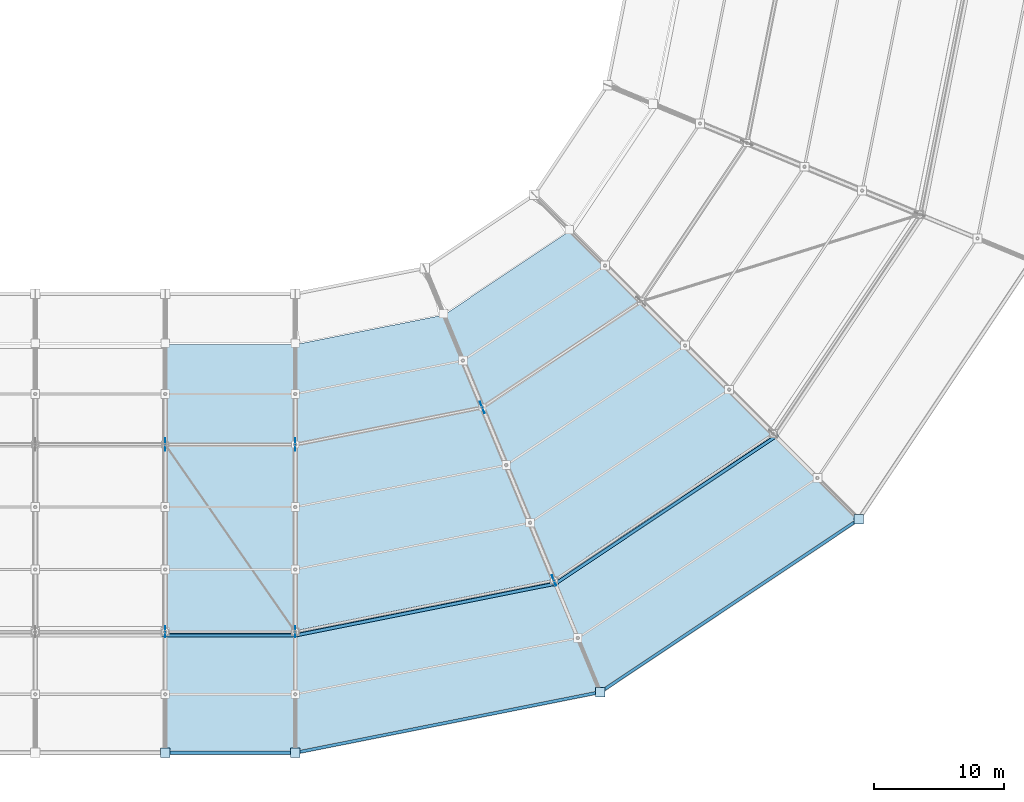
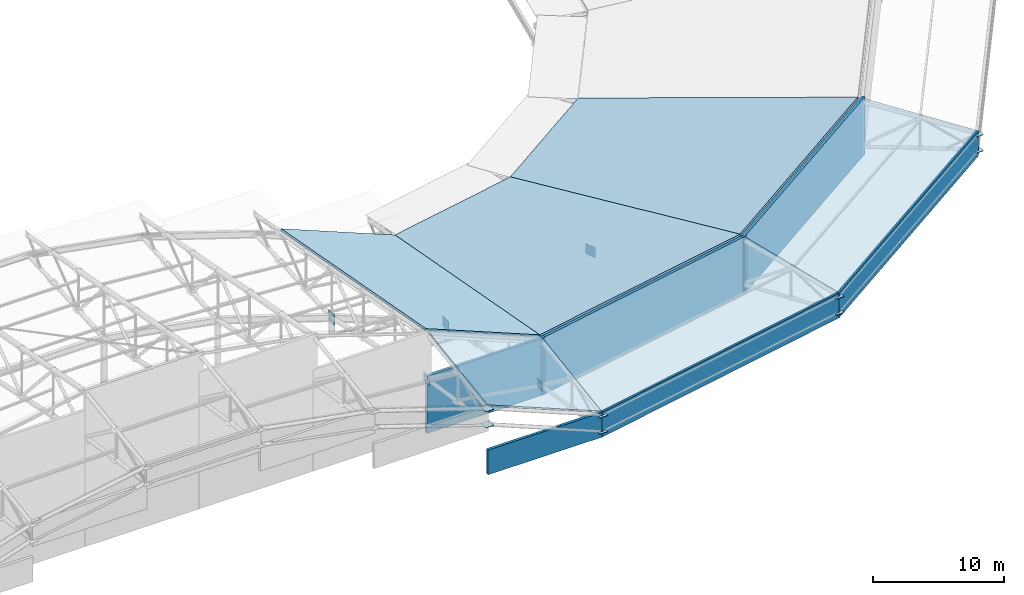
# One storey, part 112 of 146: 20 plates, 6 slabs.
"""IFC4 building model written with IfcOpenShell, lengths in metres."""

from ifc_helpers import new_model, si_unit, direction, frame, origin, origin_2d, place, context, subcontext, project, spatial, polyline, rectangle, outline, extrude, material, layer, layer_set, type_object, element, save


model = new_model("IFC4")

# Units and contexts
model_context = context("Model", 3, precision=1e-05, world=origin(), true_north=direction((0.0, 1.0)))
body_context = subcontext(model_context, "Body", "Model", "MODEL_VIEW")
ifc_project = project(units=[si_unit("LENGTHUNIT", "METRE"), si_unit("AREAUNIT", "SQUARE_METRE"), si_unit("VOLUMEUNIT", "CUBIC_METRE"), si_unit("PLANEANGLEUNIT", "RADIAN"), si_unit("MASSUNIT", "GRAM", prefix="KILO")], contexts=[model_context])

# Site, building, storey
site_placement = place(None, origin())
site = spatial("IfcSite", under=ifc_project, at=site_placement, CompositionType="ELEMENT")
building_placement = place(site_placement, origin())
building = spatial("IfcBuilding", under=site, at=building_placement, Name="Candeia Ridge Stadium", CompositionType="ELEMENT")
storey_placement = place(building_placement, frame((0.0, 0.0, 31.800048828125)))
storey = spatial("IfcBuildingStorey", under=building, at=storey_placement, Name="RF", CompositionType="ELEMENT", Elevation=31.800048828125)

# Plates
ifc_material_1 = material(Name="Aluminium Anodized Warm Bronze", Category="aluminium")
ifc_layer_1 = layer(ifc_material_1, 0.239990234375, Name="Aluminium Anodized Warm Bronze", Category="aluminium")
ifc_layer_set_1 = layer_set([ifc_layer_1], Name="Aluminium Anodized Warm Bronze")
plate_type_1 = type_object("IfcPlateType", Name="Crown Perforated Bronze Acoustic Screen", PredefinedType="SHEET", material=ifc_layer_set_1)
plate_1_placement = place(storey_placement, frame((136.0, 18.719970703125, -0.3251953125), z_axis=(0.0, 0.0, 1.0), x_axis=(1.0, 0.0, 0.0)))
element("IfcPlate", 1, at=plate_1_placement, inside=storey, type_object=plate_type_1, Name="Crown perforated bronze acoustic screen RF bay 25", PredefinedType="SHEET", context=body_context, shape_type="SweptSolid", body=[
    extrude(rectangle(XDim=10.39990234375, YDim=0.239990234375, at=origin_2d()), origin(), (0.0, 0.0, 1.0), 5.330078125),
])
plate_2_placement = place(storey_placement, frame((136.0, 9.699951171875, 1.25), z_axis=(0.0, 0.0, 1.0), x_axis=(1.0, 0.0, 0.0)))
element("IfcPlate", 2, at=plate_2_placement, inside=storey, type_object=plate_type_1, Name="Saddle roof outer eaves warm-bronze fascia bay 25", PredefinedType="SHEET", context=body_context, shape_type="SweptSolid", body=[
    extrude(rectangle(XDim=10.06005859375, YDim=0.239990234375, at=origin_2d()), origin(), (0.0, 0.0, 1.0), 2.300048828125),
])
plate_3_placement = place(storey_placement, frame((151.00341796875, 20.709716796875, -0.3251953125), z_axis=(0.0, 0.0, 1.0), x_axis=(0.980785281074, 0.195090318644, 0.0)))
element("IfcPlate", 3, at=plate_3_placement, inside=storey, type_object=plate_type_1, Name="Crown perforated bronze acoustic screen RF bay 26", PredefinedType="SHEET", context=body_context, shape_type="SweptSolid", body=[
    extrude(rectangle(XDim=20.798583984375, YDim=0.239990234375, at=origin_2d()), origin(), (0.0, 0.0, 1.0), 5.330078125),
])
plate_4_placement = place(storey_placement, frame((152.729248046875, 12.033203125, 1.25), z_axis=(0.0, 0.0, 1.0), x_axis=(0.980785277015, 0.195090339048, 0.0)))
element("IfcPlate", 4, at=plate_4_placement, inside=storey, type_object=plate_type_1, Name="Saddle roof outer eaves warm-bronze fascia bay 26", PredefinedType="SHEET", context=body_context, shape_type="SweptSolid", body=[
    extrude(rectangle(XDim=23.97802734375, YDim=0.239990234375, at=origin_2d()), origin(), (0.0, 0.0, 1.0), 2.300048828125),
])
plate_5_placement = place(storey_placement, frame((169.487060546875, 28.365966796875, -0.3251953125), z_axis=(0.0, 0.0, 1.0), x_axis=(0.831469627148, 0.555570210802, 0.0)))
element("IfcPlate", 5, at=plate_5_placement, inside=storey, type_object=plate_type_1, Name="Crown perforated bronze acoustic screen RF bay 27", PredefinedType="SHEET", context=body_context, shape_type="SweptSolid", body=[
    extrude(rectangle(XDim=20.798583984375, YDim=0.239990234375, at=origin_2d()), origin(), (0.0, 0.0, 1.0), 5.330078125),
])
plate_6_placement = place(storey_placement, frame((174.402099609375, 21.01025390625, 1.25), z_axis=(0.0, 0.0, 1.0), x_axis=(0.831469634236, 0.555570200194, 0.0)))
element("IfcPlate", 6, at=plate_6_placement, inside=storey, type_object=plate_type_1, Name="Saddle roof outer eaves warm-bronze fascia bay 27", PredefinedType="SHEET", context=body_context, shape_type="SweptSolid", body=[
    extrude(rectangle(XDim=23.97802734375, YDim=0.239990234375, at=origin_2d()), origin(), (0.0, 0.0, 1.0), 2.300048828125),
])
ifc_material_2 = material(Name="Steel ASTM A572 Grade 50", Category="steel")
ifc_layer_2 = layer(ifc_material_2, 0.02490234375, Name="Steel ASTM A572 Grade 50", Category="steel")
ifc_layer_set_2 = layer_set([ifc_layer_2], Name="Steel ASTM A572 Grade 50")
plate_type_2 = type_object("IfcPlateType", Name="Hollow Section End Closure Plate CP2", PredefinedType="SHEET", material=ifc_layer_set_2)
for number, where, z_axis, x_axis, name in (
    (7, (131.0, 9.699951171875, 7.346923828125), (0.0, 0.0, 1.0), (1.0, 0.0, 0.0), "Hollow section end closure plate TCAP-EAVE-24"),
    (8, (131.0, 9.699951171875, 5.846923828125), (0.0, 0.0, 1.0), (1.0, 0.0, 0.0), "Hollow section end closure plate BCAP-EAVE-24"),
    (9, (141.0, 9.699951171875, 3.2685546875), (0.0, 0.0, 1.0), (1.0, 0.0, 0.0), "Hollow section end closure plate TCAP-EAVE-25"),
    (10, (141.0, 9.699951171875, 1.7685546875), (0.0, 0.0, 1.0), (1.0, 0.0, 0.0), "Hollow section end closure plate BCAP-EAVE-25"),
    (11, (164.45849609375, 14.3662109375, 3.2685546875), (0.0, 0.0, 1.0), (1.0, 0.0, 0.0), "Hollow section end closure plate TCAP-EAVE-26"),
    (12, (164.45849609375, 14.3662109375, 1.7685546875), (0.0, 0.0, 1.0), (1.0, 0.0, 0.0), "Hollow section end closure plate BCAP-EAVE-26"),
    (13, (184.345703125, 27.654296875, 3.2685546875), (0.0, 0.0, 1.0), (1.0, 0.0, 0.0), "Hollow section end closure plate TCAP-EAVE-27"),
    (14, (184.345703125, 27.654296875, 1.7685546875), (0.0, 0.0, 1.0), (1.0, 0.0, 0.0), "Hollow section end closure plate BCAP-EAVE-27"),
):
    element("IfcPlate", number, at=place(storey_placement, frame(where, z_axis=z_axis, x_axis=x_axis)), inside=storey, type_object=plate_type_2, Name=name, PredefinedType="SHEET", context=body_context, shape_type="SweptSolid", body=[
        extrude(rectangle(XDim=0.719970703125, YDim=0.719970703125, at=origin_2d()), origin(), (0.0, 0.0, 1.0), 0.02490234375),
    ])
ifc_layer_3 = layer(ifc_material_2, 0.031982421875, Name="Steel ASTM A572 Grade 50", Category="steel")
ifc_layer_set_3 = layer_set([ifc_layer_3], Name="Steel ASTM A572 Grade 50")
plate_type_3 = type_object("IfcPlateType", Name="Roof Truss Inner Support Node Gusset ND-1", PredefinedType="USERDEFINED", material=ifc_layer_set_3)
for number, where, z_axis, x_axis, name in (
    (15, (131.0, 33.39990234375, 0.939453125), (0.0, 0.0, 1.0), (0.0, -1.0, 0.0), "Roof truss inner support node ND-1 bay 25"),
    (16, (141.0, 33.39990234375, -3.13916015625), (0.0, 0.0, 1.0), (0.0, -1.0, 0.0), "Roof truss inner support node ND-1 bay 26"),
    (17, (155.388916015625, 36.26220703125, -3.13916015625), (0.0, 0.0, 1.0), (0.382683433413, -0.923879532077, 0.0), "Roof truss inner support node ND-1 bay 27"),
):
    element("IfcPlate", number, at=place(storey_placement, frame(where, z_axis=z_axis, x_axis=x_axis)), inside=storey, type_object=plate_type_3, Name=name, ObjectType="GUSSET PLATE", PredefinedType="USERDEFINED", context=body_context, shape_type="SweptSolid", body=[
        extrude(rectangle(XDim=0.949951171875, YDim=0.031982421875, at=origin_2d()), origin(), (0.0, 0.0, 1.0), 0.949951171875),
    ])
ifc_layer_4 = layer(ifc_material_2, 0.028076171875, Name="Steel ASTM A572 Grade 50", Category="steel")
ifc_layer_set_4 = layer_set([ifc_layer_4], Name="Steel ASTM A572 Grade 50")
plate_type_4 = type_object("IfcPlateType", Name="Roof Truss Outer Tie Node Gusset ND-2", PredefinedType="USERDEFINED", material=ifc_layer_set_4)
for number, where, z_axis, x_axis, name in (
    (18, (131.0, 19.0, 4.053466796875), (0.0, 0.0, 1.0), (0.0, -1.0, 0.0), "Roof truss outer support node ND-2 bay 25"),
    (19, (141.0, 19.0, -0.025146484375), (0.0, 0.0, 1.0), (0.0, -1.0, 0.0), "Roof truss outer support node ND-2 bay 26"),
    (20, (160.899658203125, 22.958251953125, -0.025146484375), (0.0, 0.0, 1.0), (0.382683433413, -0.923879532077, 0.0), "Roof truss outer support node ND-2 bay 27"),
):
    element("IfcPlate", number, at=place(storey_placement, frame(where, z_axis=z_axis, x_axis=x_axis)), inside=storey, type_object=plate_type_4, Name=name, ObjectType="GUSSET PLATE", PredefinedType="USERDEFINED", context=body_context, shape_type="SweptSolid", body=[
        extrude(rectangle(XDim=0.85009765625, YDim=0.028076171875, at=origin_2d()), origin(), (0.0, 0.0, 1.0), 0.85009765625),
    ])

# Slabs
ifc_layer_5 = layer(ifc_material_2, 0.1650390625, Name="Steel ASTM A572 Grade 50", Category="steel")
ifc_layer_set_5 = layer_set([ifc_layer_5], Name="Steel ASTM A572 Grade 50")
slab_type_1 = type_object("IfcSlabType", Name="Saddle Eaves Roof Deck 165", PredefinedType="ROOF", material=ifc_layer_set_5)
slab_1_placement = place(storey_placement, frame((131.0, 18.919921875, 9.06591796875), z_axis=(0.373992399417, -0.138068439902, 0.917096936578), x_axis=(0.925965267125, 1.431252e-06, -0.377608691738)))
element("IfcSlab", 21, at=slab_1_placement, inside=storey, type_object=slab_type_1, Name="Stadium saddle roof eave deck bay 25", PredefinedType="ROOF", context=body_context, shape_type="SweptSolid", body=[
    extrude(outline(polyline([(0.0, 0.0), (10.799495927621997, 0.0), (11.323672922245013, -9.309143458031738), (0.5240848050010095, -9.309112245357149), (0.0, 0.0)])), origin(), (0.0, 0.0, -1.0), 0.1650390625),
])
slab_2_placement = place(storey_placement, frame((141.0, 18.919921875, 4.988037109375), z_axis=(0.029601315607, -0.148820532569, 0.988421069788), x_axis=(0.980787133937, 0.195081003438, -5.36886e-07)))
element("IfcSlab", 22, at=slab_2_placement, inside=storey, type_object=slab_type_1, Name="Stadium saddle roof eave deck bay 26", PredefinedType="ROOF", context=body_context, shape_type="SweptSolid", body=[
    extrude(outline(polyline([(0.0, 0.0), (20.320343349009452, 0.0), (22.118922869347795, -9.148603290923226), (-1.7986403911399411, -9.148759817575172), (0.0, 0.0)])), origin(), (0.0, 0.0, -1.0), 0.1650390625),
])
slab_3_placement = place(storey_placement, frame((160.929931640625, 22.884033203125, 4.988037109375), z_axis=(0.084296794497, -0.126159658461, 0.988421868948), x_axis=(0.831458637348, 0.555586657838, 3.364062e-06)))
element("IfcSlab", 23, at=slab_3_placement, inside=storey, type_object=slab_type_1, Name="Stadium saddle roof eave deck bay 27", PredefinedType="ROOF", context=body_context, shape_type="SweptSolid", body=[
    extrude(outline(polyline([(0.0, 0.0), (20.32091695834634, 0.0), (22.119602982938805, -9.149485867843724), (-1.7990793095016628, -9.148505019899881), (0.0, 0.0)])), origin(), (0.0, 0.0, -1.0), 0.1650390625),
])
ifc_layer_6 = layer(ifc_material_2, 0.179931640625, Name="Steel ASTM A572 Grade 50", Category="steel")
ifc_layer_set_6 = layer_set([ifc_layer_6], Name="Steel ASTM A572 Grade 50")
slab_type_2 = type_object("IfcSlabType", Name="Saddle Roof Structural Deck 180", PredefinedType="ROOF", material=ifc_layer_set_6)
slab_4_placement = place(storey_placement, frame((131.0, 41.10009765625, 4.989990234375), z_axis=(0.372198893243, 0.168815005026, 0.912671615614), x_axis=(0.925961239527, 0.0, -0.377618567994)))
element("IfcSlab", 24, at=slab_4_placement, inside=storey, type_object=slab_type_2, Name="Stadium saddle roof main deck bay 25", PredefinedType="ROOF", context=body_context, shape_type="SweptSolid", body=[
    extrude(outline(polyline([(0.0, 0.0), (10.799588117869359, -1.1102230246251565e-16), (9.261548427964117, -22.34065816306125), (-1.538039689905241, -22.34065816306125), (0.0, 0.0)])), origin(), (0.0, 0.0, -1.0), 0.179931640625),
])
slab_5_placement = place(storey_placement, frame((141.0, 41.10009765625, 0.911865234375), z_axis=(-0.036153116313, 0.181763338981, 0.98267748564), x_axis=(0.980786224132, 0.19508557751, -9.43866e-07)))
element("IfcSlab", 25, at=slab_5_placement, inside=storey, type_object=slab_type_2, Name="Stadium saddle roof main deck bay 26", PredefinedType="ROOF", context=body_context, shape_type="SweptSolid", body=[
    extrude(outline(polyline([(0.0, 0.0), (11.666043684987503, -4.440892098500626e-16), (15.96230742120128, -21.977804497045955), (-4.295792071394437, -21.977641905484266), (0.0, 0.0)])), origin(), (0.0, 0.0, -1.0), 0.179931640625),
])
slab_6_placement = place(storey_placement, frame((152.44189453125, 43.3759765625, 0.911865234375), z_axis=(-0.102962524473, 0.154087355623, 0.982677874683), x_axis=(0.831451232069, 0.555597739994, -2.308707e-06)))
element("IfcSlab", 26, at=slab_6_placement, inside=storey, type_object=slab_type_2, Name="Stadium saddle roof main deck bay 27", PredefinedType="ROOF", context=body_context, shape_type="SweptSolid", body=[
    extrude(outline(polyline([(0.0, 0.0), (11.666586999361916, 0.0), (15.96183736590626, -21.978166695986), (-4.296445413772824, -21.97776898157144), (0.0, 0.0)])), origin(), (0.0, 0.0, -1.0), 0.179931640625),
])

save(model, "model.ifc")
